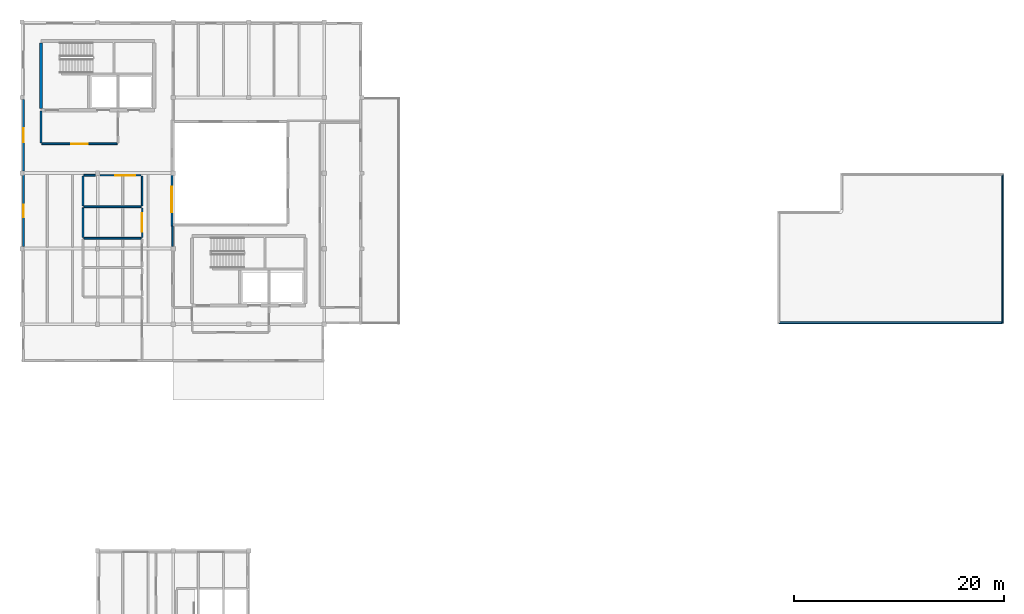
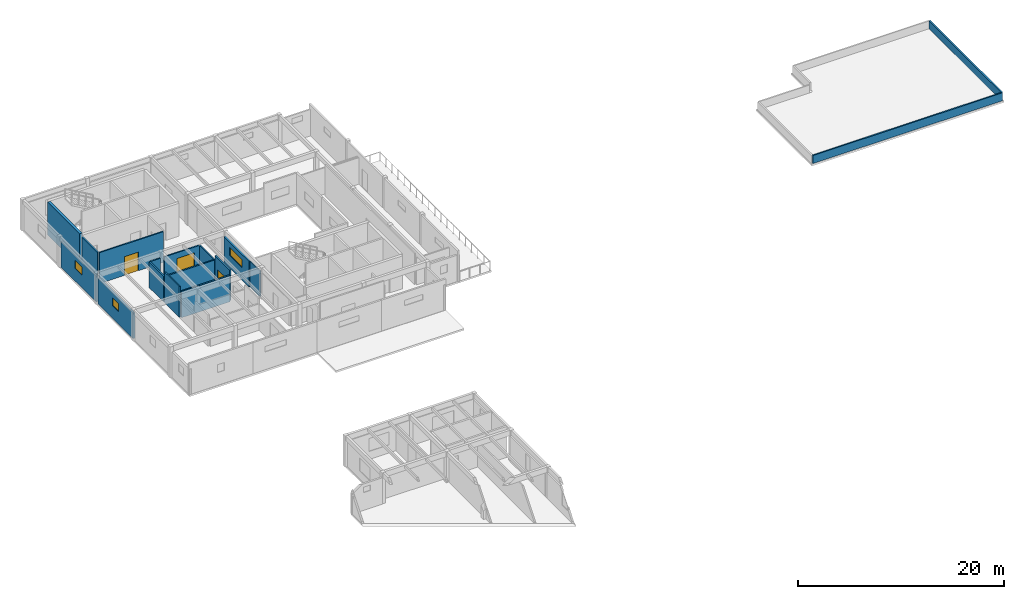
# One storey, part 5 of 12: 17 walls, 3 doors, 3 windows, 6 openings.
"""IFC4 building model written with IfcOpenShell, lengths in metres."""

from ifc_helpers import new_model, si_unit, direction, frame, frame_2d, origin, place, context, subcontext, project, spatial, rectangle, extrude, material, layer, layer_set, type_object, element, fill, save


model = new_model("IFC4")

# Units and contexts
model_context = context("Model", 3, precision=1e-05, world=origin(), true_north=direction((0.0, 1.0)))
body_context = subcontext(model_context, "Body", "Model", "MODEL_VIEW")
ifc_project = project(units=[si_unit("LENGTHUNIT", "METRE"), si_unit("AREAUNIT", "SQUARE_METRE"), si_unit("VOLUMEUNIT", "CUBIC_METRE"), si_unit("PLANEANGLEUNIT", "RADIAN"), si_unit("MASSUNIT", "GRAM", prefix="KILO")], contexts=[model_context])

# Site, building, storey
site_placement = place(None, origin())
site = spatial("IfcSite", under=ifc_project, at=site_placement, CompositionType="ELEMENT")
building_placement = place(site_placement, origin())
building = spatial("IfcBuilding", under=site, at=building_placement, Name="Bramvelor Terrace Health Centre", CompositionType="ELEMENT")
storey_placement = place(building_placement, frame((0.0, 0.0, 17.699951171875)))
storey = spatial("IfcBuildingStorey", under=building, at=storey_placement, Name="L05", CompositionType="ELEMENT", Elevation=17.699951171875)

# Walls
ifc_material_1 = material(Name="Fire-rated gypsum and mineral wool", Category="gypsum")
ifc_layer_1 = layer(ifc_material_1, 0.139892578125)
ifc_layer_set_1 = layer_set([ifc_layer_1], Name="Fire-rated gypsum and mineral wool")
wall_type_1 = type_object("IfcWallType", Name="WL-COR-140", PredefinedType="PARTITIONING", material=ifc_layer_set_1)
wall_1_placement = place(storey_placement, frame((14.35205078125, 93.81494140625, 0.0), z_axis=(0.0, 0.0, 1.0), x_axis=(0.0, 1.0, 0.0)))
element("IfcWall", 1, at=wall_1_placement, inside=storey, type_object=wall_type_1, Name="L05 Interior Partition 354", PredefinedType="PARTITIONING", context=body_context, shape_type="SweptSolid", body=[
    extrude(rectangle(XDim=1.938720703125, YDim=0.139892578125, at=frame_2d((0.96923828125, 0.0))), origin(), (0.0, 0.0, 1.0), 3.050048828125),
])
ifc_material_2 = material(Name="Concrete C40/50", Category="concrete")
ifc_layer_2 = layer(ifc_material_2, 0.300048828125)
ifc_layer_set_2 = layer_set([ifc_layer_2], Name="Concrete C40/50")
wall_type_2 = type_object("IfcWallType", Name="WL-CORE-300", PredefinedType="SHEAR", material=ifc_layer_set_2)
wall_2_placement = place(storey_placement, frame((1.800048828125, 106.97998046875, 0.0), z_axis=(0.0, 0.0, 1.0), x_axis=(0.0, 1.0, 0.0)))
element("IfcWall", 2, at=wall_2_placement, inside=storey, type_object=wall_type_2, Name="C1 L05 Core Shear Wall", PredefinedType="SHEAR", context=body_context, shape_type="SweptSolid", body=[
    extrude(rectangle(XDim=6.239990234375, YDim=0.300048828125, at=frame_2d((3.1201171875, 0.0))), origin(), (0.0, 0.0, 1.0), 3.900146484375),
])

# Wall, opening, window
ifc_material_3 = material(Name="Cross-laminated timber C24", Category="wood")
ifc_layer_3 = layer(ifc_material_3, 0.18505859375)
ifc_layer_set_3 = layer_set([ifc_layer_3], Name="Cross-laminated timber C24")
wall_type_3 = type_object("IfcWallType", Name="WL-EXT-CLT185", PredefinedType="SOLIDWALL", material=ifc_layer_set_3)
wall_3_placement = place(storey_placement, frame((0.1298828125, 93.794921875, 0.0), z_axis=(0.0, 0.0, 1.0), x_axis=(0.0, 1.0, 0.0)))
wall_3 = element("IfcWall", 3, at=wall_3_placement, inside=storey, type_object=wall_type_3, Name="L05 Exterior Facade Wall 33", PredefinedType="SOLIDWALL", context=body_context, shape_type="SweptSolid", body=[
    extrude(rectangle(XDim=6.81005859375, YDim=0.18505859375, at=frame_2d((3.405029296875, 0.0))), origin(), (0.0, 0.0, 1.0), 3.050048828125),
])
opening_1_placement = place(wall_3_placement, frame((2.804931640625, 0.0, 1.5)))
opening_1 = element("IfcOpeningElement", 4, at=opening_1_placement, cuts=wall_3, Name="Opening WN-16", PredefinedType="OPENING", context=body_context, shape_type="SweptSolid", body=[
    extrude(rectangle(XDim=1.199951171875, YDim=0.949951171875, at=frame_2d((0.60009765625, 0.47509765625))), frame((0.0, 0.1025390625, 0.0), z_axis=(0.0, -1.0, 0.0), x_axis=(1.0, 0.0, 0.0)), (0.0, 0.0, 1.0), 0.205078125),
])
ifc_material_4 = material(Name="Double low-E laminated glass", Category="glass")
window_type_1 = type_object("IfcWindowType", Name="WIN-EXT-16", PartitioningType="SINGLE_PANEL", PredefinedType="WINDOW", material=ifc_material_4)
window_1_placement = place(opening_1_placement, origin())
window_1 = element("IfcWindow", 5, at=window_1_placement, inside=storey, type_object=window_type_1, Name="L05 Scheduled Clinical Window 256", OverallHeight=0.949951171875, OverallWidth=1.199951171875, PartitioningType="SINGLE_PANEL", PredefinedType="WINDOW", context=body_context, shape_type="SweptSolid", body=[
    extrude(rectangle(XDim=1.199951171875, YDim=0.949951171875, at=frame_2d((0.60009765625, 0.47509765625))), frame((0.0, 0.030029296875, 0.0), z_axis=(0.0, -1.0, 0.0), x_axis=(1.0, 0.0, 0.0)), (0.0, 0.0, 1.0), 0.06005859375),
])
fill(opening_1, window_1)

wall_4_placement = place(storey_placement, frame((0.1298828125, 100.9951171875, 0.0), z_axis=(0.0, 0.0, 1.0), x_axis=(0.0, 1.0, 0.0)))
wall_4 = element("IfcWall", 6, at=wall_4_placement, inside=storey, type_object=wall_type_3, Name="L05 Exterior Facade Wall 34", PredefinedType="SOLIDWALL", context=body_context, shape_type="SweptSolid", body=[
    extrude(rectangle(XDim=6.809814453125, YDim=0.18505859375, at=frame_2d((3.40478515625, 0.0))), origin(), (0.0, 0.0, 1.0), 3.050048828125),
])
opening_2_placement = place(wall_4_placement, frame((2.72998046875, 0.0, 1.5)))
opening_2 = element("IfcOpeningElement", 7, at=opening_2_placement, cuts=wall_4, Name="Opening WN-17", PredefinedType="OPENING", context=body_context, shape_type="SweptSolid", body=[
    extrude(rectangle(XDim=1.35009765625, YDim=0.949951171875, at=frame_2d((0.675048828125, 0.47509765625))), frame((0.0, 0.1025390625, 0.0), z_axis=(0.0, -1.0, 0.0), x_axis=(1.0, 0.0, 0.0)), (0.0, 0.0, 1.0), 0.205078125),
])
ifc_material_5 = material(Name="Double low-E laminated glass", Category="glass")
window_type_2 = type_object("IfcWindowType", Name="WIN-EXT-17", PartitioningType="SINGLE_PANEL", PredefinedType="WINDOW", material=ifc_material_5)
window_2_placement = place(opening_2_placement, origin())
window_2 = element("IfcWindow", 8, at=window_2_placement, inside=storey, type_object=window_type_2, Name="L05 Scheduled Clinical Window 257", OverallHeight=0.949951171875, OverallWidth=1.35009765625, PartitioningType="SINGLE_PANEL", PredefinedType="WINDOW", context=body_context, shape_type="SweptSolid", body=[
    extrude(rectangle(XDim=1.35009765625, YDim=0.949951171875, at=frame_2d((0.675048828125, 0.47509765625))), frame((0.0, 0.030029296875, 0.0), z_axis=(0.0, -1.0, 0.0), x_axis=(1.0, 0.0, 0.0)), (0.0, 0.0, 1.0), 0.06005859375),
])
fill(opening_2, window_2)

wall_5_placement = place(storey_placement, frame((14.27001953125, 100.60498046875, 0.0), z_axis=(0.0, 0.0, 1.0), x_axis=(0.0, -1.0, 0.0)))
wall_5 = element("IfcWall", 9, at=wall_5_placement, inside=storey, type_object=wall_type_3, Name="L05 Exterior Facade Wall 41", PredefinedType="SOLIDWALL", context=body_context, shape_type="SweptSolid", body=[
    extrude(rectangle(XDim=4.865966796875, YDim=0.18505859375, at=frame_2d((2.43310546875, 0.0))), origin(), (0.0, 0.0, 1.0), 3.050048828125),
])
opening_3_placement = place(wall_5_placement, frame((1.112548828125, 0.0, 1.5)))
opening_3 = element("IfcOpeningElement", 10, at=opening_3_placement, cuts=wall_5, Name="Opening WN-24", PredefinedType="OPENING", context=body_context, shape_type="SweptSolid", body=[
    extrude(rectangle(XDim=2.39990234375, YDim=0.949951171875, at=frame_2d((1.199951171875, 0.47509765625))), frame((0.0, 0.1025390625, 0.0), z_axis=(0.0, -1.0, 0.0), x_axis=(1.0, 0.0, 0.0)), (0.0, 0.0, 1.0), 0.205078125),
])
ifc_material_6 = material(Name="Double low-E laminated glass", Category="glass")
window_type_3 = type_object("IfcWindowType", Name="WIN-EXT-24", PartitioningType="SINGLE_PANEL", PredefinedType="WINDOW", material=ifc_material_6)
window_3_placement = place(opening_3_placement, origin())
window_3 = element("IfcWindow", 11, at=window_3_placement, inside=storey, type_object=window_type_3, Name="L05 Scheduled Clinical Window 264", OverallHeight=0.949951171875, OverallWidth=2.39990234375, PartitioningType="SINGLE_PANEL", PredefinedType="WINDOW", context=body_context, shape_type="SweptSolid", body=[
    extrude(rectangle(XDim=2.39990234375, YDim=0.949951171875, at=frame_2d((1.199951171875, 0.47509765625))), frame((0.0, 0.030029296875, 0.0), z_axis=(0.0, -1.0, 0.0), x_axis=(1.0, 0.0, 0.0)), (0.0, 0.0, 1.0), 0.06005859375),
])
fill(opening_3, window_3)

# Wall
ifc_material_7 = material(Name="Fire-rated gypsum and mineral wool", Category="gypsum")
ifc_layer_4 = layer(ifc_material_7, 0.14990234375)
ifc_layer_set_4 = layer_set([ifc_layer_4], Name="Fire-rated gypsum and mineral wool")
wall_type_4 = type_object("IfcWallType", Name="WL-FIR-150", PredefinedType="PARTITIONING", material=ifc_layer_set_4)
wall_6_placement = place(storey_placement, frame((1.800048828125, 103.68994140625, 0.0), z_axis=(0.0, 0.0, 1.0), x_axis=(0.0, 1.0, 0.0)))
element("IfcWall", 12, at=wall_6_placement, inside=storey, type_object=wall_type_4, Name="L05 Interior Partition 320", PredefinedType="PARTITIONING", context=body_context, shape_type="SweptSolid", body=[
    extrude(rectangle(XDim=3.01513671875, YDim=0.14990234375, at=frame_2d((1.507568359375, 0.0))), origin(), (0.0, 0.0, 1.0), 3.670166015625),
])

# Wall, opening, door
wall_7_placement = place(storey_placement, frame((9.06005859375, 103.60009765625, 0.0), z_axis=(0.0, 0.0, 1.0), x_axis=(-1.0, 0.0, 0.0)))
wall_7 = element("IfcWall", 13, at=wall_7_placement, inside=storey, type_object=wall_type_4, Name="L05 Interior Partition 322", PredefinedType="PARTITIONING", context=body_context, shape_type="SweptSolid", body=[
    extrude(rectangle(XDim=7.170166015625, YDim=0.14990234375, at=frame_2d((3.5849609375, 0.0))), origin(), (0.0, 0.0, 1.0), 3.670166015625),
])
opening_4_placement = place(wall_7_placement, frame((2.804931640625, 0.0, 0.0)))
opening_4 = element("IfcOpeningElement", 14, at=opening_4_placement, cuts=wall_7, Name="Opening FD-03", PredefinedType="OPENING", context=body_context, shape_type="SweptSolid", body=[
    extrude(rectangle(XDim=1.56005859375, YDim=2.219970703125, at=frame_2d((0.780029296875, 1.10986328125))), frame((0.0, 0.0849609375, 0.0), z_axis=(0.0, -1.0, 0.0), x_axis=(1.0, 0.0, 0.0)), (0.0, 0.0, 1.0), 0.169921875),
])
ifc_material_8 = material(Name="Fire-rated steel and vision panel", Category="steel")
door_type_1 = type_object("IfcDoorType", Name="DR-FD90-156", OperationType="DOUBLE_DOOR_SINGLE_SWING", PredefinedType="DOOR", material=ifc_material_8)
door_1_placement = place(opening_4_placement, origin())
door_1 = element("IfcDoor", 15, at=door_1_placement, inside=storey, type_object=door_type_1, Name="L05 Fire Compartment Lobby Door 133", OperationType="DOUBLE_DOOR_SINGLE_SWING", OverallHeight=2.219970703125, OverallWidth=1.56005859375, PredefinedType="DOOR", context=body_context, shape_type="SweptSolid", body=[
    extrude(rectangle(XDim=1.56005859375, YDim=2.219970703125, at=frame_2d((0.780029296875, 1.10986328125))), frame((0.0, 0.02490234375, 0.0), z_axis=(0.0, -1.0, 0.0), x_axis=(1.0, 0.0, 0.0)), (0.0, 0.0, 1.0), 0.050048828125),
])
fill(opening_4, door_1)

# Walls
ifc_material_9 = material(Name="Precast concrete C40/50", Category="concrete")
ifc_layer_5 = layer(ifc_material_9, 0.155029296875)
ifc_layer_set_5 = layer_set([ifc_layer_5], Name="Precast concrete C40/50")
wall_type_5 = type_object("IfcWallType", Name="WL-PAR-155", PredefinedType="PARAPET", material=ifc_layer_set_5)
wall_8_placement = place(storey_placement, frame((93.43994140625, 86.5400390625, 0.0), z_axis=(0.0, 0.0, 1.0), x_axis=(-1.0, 0.0, 0.0)))
element("IfcWall", 16, at=wall_8_placement, inside=storey, type_object=wall_type_5, Name="L05 Roof Parapet Upstand 33", PredefinedType="PARAPET", context=body_context, shape_type="SweptSolid", body=[
    extrude(rectangle(XDim=21.280029296875, YDim=0.155029296875, at=frame_2d((10.64013671875, 0.0))), origin(), (0.0, 0.0, 1.0), 0.949951171875),
])
ifc_material_10 = material(Name="Precast concrete C40/50", Category="concrete")
ifc_layer_6 = layer(ifc_material_10, 0.175048828125)
ifc_layer_set_6 = layer_set([ifc_layer_6], Name="Precast concrete C40/50")
wall_type_6 = type_object("IfcWallType", Name="WL-PAR-175", PredefinedType="PARAPET", material=ifc_layer_set_6)
wall_9_placement = place(storey_placement, frame((93.4599609375, 100.639892578125, 0.0), z_axis=(0.0, 0.0, 1.0), x_axis=(0.0, -1.0, 0.0)))
element("IfcWall", 17, at=wall_9_placement, inside=storey, type_object=wall_type_6, Name="L05 Roof Parapet Upstand 32", PredefinedType="PARAPET", context=body_context, shape_type="SweptSolid", body=[
    extrude(rectangle(XDim=14.079833984375, YDim=0.175048828125, at=frame_2d((7.0400390625, 0.0))), origin(), (0.0, 0.0, 1.0), 0.949951171875),
])
ifc_material_11 = material(Name="Moisture-resistant service chase board", Category="gypsum")
ifc_layer_7 = layer(ifc_material_11, 0.159912109375)
ifc_layer_set_7 = layer_set([ifc_layer_7], Name="Moisture-resistant service chase board")
wall_type_7 = type_object("IfcWallType", Name="WL-PLM-160", PredefinedType="PLUMBINGWALL", material=ifc_layer_set_7)
wall_10_placement = place(storey_placement, frame((5.889892578125, 100.597900390625, 0.0), z_axis=(0.0, 0.0, 1.0), x_axis=(1.0, 0.0, 0.0)))
element("IfcWall", 18, at=wall_10_placement, inside=storey, type_object=wall_type_7, Name="L05 Interior Partition 326", PredefinedType="PLUMBINGWALL", context=body_context, shape_type="SweptSolid", body=[
    extrude(rectangle(XDim=1.09521484375, YDim=0.159912109375, at=frame_2d((0.547607421875, 0.0))), origin(), (0.0, 0.0, 1.0), 3.050048828125),
])

# Wall, opening, door
wall_11_placement = place(storey_placement, frame((7.4150390625, 100.597900390625, 0.0), z_axis=(0.0, 0.0, 1.0), x_axis=(1.0, 0.0, 0.0)))
wall_11 = element("IfcWall", 19, at=wall_11_placement, inside=storey, type_object=wall_type_7, Name="L05 Interior Partition 327", PredefinedType="PLUMBINGWALL", context=body_context, shape_type="SweptSolid", body=[
    extrude(rectangle(XDim=3.93505859375, YDim=0.159912109375, at=frame_2d((1.967529296875, 0.0))), origin(), (0.0, 0.0, 1.0), 3.050048828125),
])
opening_5_placement = place(wall_11_placement, frame((1.45751953125, 0.0, 0.0)))
opening_5 = element("IfcOpeningElement", 20, at=opening_5_placement, cuts=wall_11, Name="Opening ID-DB1", PredefinedType="OPENING", context=body_context, shape_type="SweptSolid", body=[
    extrude(rectangle(XDim=1.919921875, YDim=2.360107421875, at=frame_2d((0.9599609375, 1.18017578125))), frame((0.0, 0.08984375, 0.0), z_axis=(0.0, -1.0, 0.0), x_axis=(1.0, 0.0, 0.0)), (0.0, 0.0, 1.0), 0.179931640625),
])
ifc_material_12 = material(Name="Solid-core acoustic timber laminate", Category="wood")
door_type_2 = type_object("IfcDoorType", Name="DR-DBL-192", OperationType="DOUBLE_DOOR_SINGLE_SWING", PredefinedType="DOOR", material=ifc_material_12)
door_2_placement = place(opening_5_placement, origin())
door_2 = element("IfcDoor", 21, at=door_2_placement, inside=storey, type_object=door_type_2, Name="L05 Accessible Male WC Clinical Door", OperationType="DOUBLE_DOOR_SINGLE_SWING", OverallHeight=2.360107421875, OverallWidth=1.919921875, PredefinedType="DOOR", context=body_context, shape_type="SweptSolid", body=[
    extrude(rectangle(XDim=1.919921875, YDim=2.360107421875, at=frame_2d((0.9599609375, 1.18017578125))), frame((0.0, 0.02490234375, 0.0), z_axis=(0.0, -1.0, 0.0), x_axis=(1.0, 0.0, 0.0)), (0.0, 0.0, 1.0), 0.050048828125),
])
fill(opening_5, door_2)

# Walls
wall_12_placement = place(storey_placement, frame((11.43994140625, 100.508056640625, 0.0), z_axis=(0.0, 0.0, 1.0), x_axis=(0.0, -1.0, 0.0)))
element("IfcWall", 22, at=wall_12_placement, inside=storey, type_object=wall_type_7, Name="L05 Interior Partition 328", PredefinedType="PLUMBINGWALL", context=body_context, shape_type="SweptSolid", body=[
    extrude(rectangle(XDim=2.818115234375, YDim=0.159912109375, at=frame_2d((1.4091796875, 0.0))), origin(), (0.0, 0.0, 1.0), 3.050048828125),
])
wall_13_placement = place(storey_placement, frame((11.35009765625, 97.60009765625, 0.0), z_axis=(0.0, 0.0, 1.0), x_axis=(-1.0, 0.0, 0.0)))
element("IfcWall", 23, at=wall_13_placement, inside=storey, type_object=wall_type_7, Name="L05 Interior Partition 329", PredefinedType="PLUMBINGWALL", context=body_context, shape_type="SweptSolid", body=[
    extrude(rectangle(XDim=5.460205078125, YDim=0.159912109375, at=frame_2d((2.72998046875, 0.0))), origin(), (0.0, 0.0, 1.0), 3.130126953125),
])
wall_14_placement = place(storey_placement, frame((5.800048828125, 97.68994140625, 0.0), z_axis=(0.0, 0.0, 1.0), x_axis=(0.0, 1.0, 0.0)))
element("IfcWall", 24, at=wall_14_placement, inside=storey, type_object=wall_type_7, Name="L05 Interior Partition 330", PredefinedType="PLUMBINGWALL", context=body_context, shape_type="SweptSolid", body=[
    extrude(rectangle(XDim=2.818115234375, YDim=0.159912109375, at=frame_2d((1.4091796875, 0.0))), origin(), (0.0, 0.0, 1.0), 3.050048828125),
])

# Wall, opening, door
wall_15_placement = place(storey_placement, frame((11.43994140625, 97.5, 0.0), z_axis=(0.0, 0.0, 1.0), x_axis=(0.0, -1.0, 0.0)))
wall_15 = element("IfcWall", 25, at=wall_15_placement, inside=storey, type_object=wall_type_7, Name="L05 Interior Partition 331", PredefinedType="PLUMBINGWALL", context=body_context, shape_type="SweptSolid", body=[
    extrude(rectangle(XDim=2.81005859375, YDim=0.159912109375, at=frame_2d((1.405029296875, 0.0))), origin(), (0.0, 0.0, 1.0), 3.670166015625),
])
opening_6_placement = place(wall_15_placement, frame((0.514892578125, 0.0, 0.0)))
opening_6 = element("IfcOpeningElement", 26, at=opening_6_placement, cuts=wall_15, Name="Opening ID-DB2", PredefinedType="OPENING", context=body_context, shape_type="SweptSolid", body=[
    extrude(rectangle(XDim=1.780029296875, YDim=2.320068359375, at=frame_2d((0.89013671875, 1.16015625))), frame((0.0, 0.08984375, 0.0), z_axis=(0.0, -1.0, 0.0), x_axis=(1.0, 0.0, 0.0)), (0.0, 0.0, 1.0), 0.179931640625),
])
ifc_material_13 = material(Name="Solid-core acoustic timber laminate", Category="wood")
door_type_3 = type_object("IfcDoorType", Name="DR-DBL-178", OperationType="DOUBLE_DOOR_SINGLE_SWING", PredefinedType="DOOR", material=ifc_material_13)
door_3_placement = place(opening_6_placement, origin())
door_3 = element("IfcDoor", 27, at=door_3_placement, inside=storey, type_object=door_type_3, Name="L05 Accessible Female WC Clinical Door", OperationType="DOUBLE_DOOR_SINGLE_SWING", OverallHeight=2.320068359375, OverallWidth=1.780029296875, PredefinedType="DOOR", context=body_context, shape_type="SweptSolid", body=[
    extrude(rectangle(XDim=1.780029296875, YDim=2.320068359375, at=frame_2d((0.89013671875, 1.16015625))), frame((0.0, 0.02490234375, 0.0), z_axis=(0.0, -1.0, 0.0), x_axis=(1.0, 0.0, 0.0)), (0.0, 0.0, 1.0), 0.050048828125),
])
fill(opening_6, door_3)

# Walls
wall_16_placement = place(storey_placement, frame((11.35009765625, 94.60009765625, 0.0), z_axis=(0.0, 0.0, 1.0), x_axis=(-1.0, 0.0, 0.0)))
element("IfcWall", 28, at=wall_16_placement, inside=storey, type_object=wall_type_7, Name="L05 Interior Partition 332", PredefinedType="PLUMBINGWALL", context=body_context, shape_type="SweptSolid", body=[
    extrude(rectangle(XDim=5.460205078125, YDim=0.159912109375, at=frame_2d((2.72998046875, 0.0))), origin(), (0.0, 0.0, 1.0), 3.130126953125),
])
wall_17_placement = place(storey_placement, frame((5.800048828125, 94.68994140625, 0.0), z_axis=(0.0, 0.0, 1.0), x_axis=(0.0, 1.0, 0.0)))
element("IfcWall", 29, at=wall_17_placement, inside=storey, type_object=wall_type_7, Name="L05 Interior Partition 333", PredefinedType="PLUMBINGWALL", context=body_context, shape_type="SweptSolid", body=[
    extrude(rectangle(XDim=2.81005859375, YDim=0.159912109375, at=frame_2d((1.405029296875, 0.0))), origin(), (0.0, 0.0, 1.0), 3.670166015625),
])

save(model, "model.ifc")
